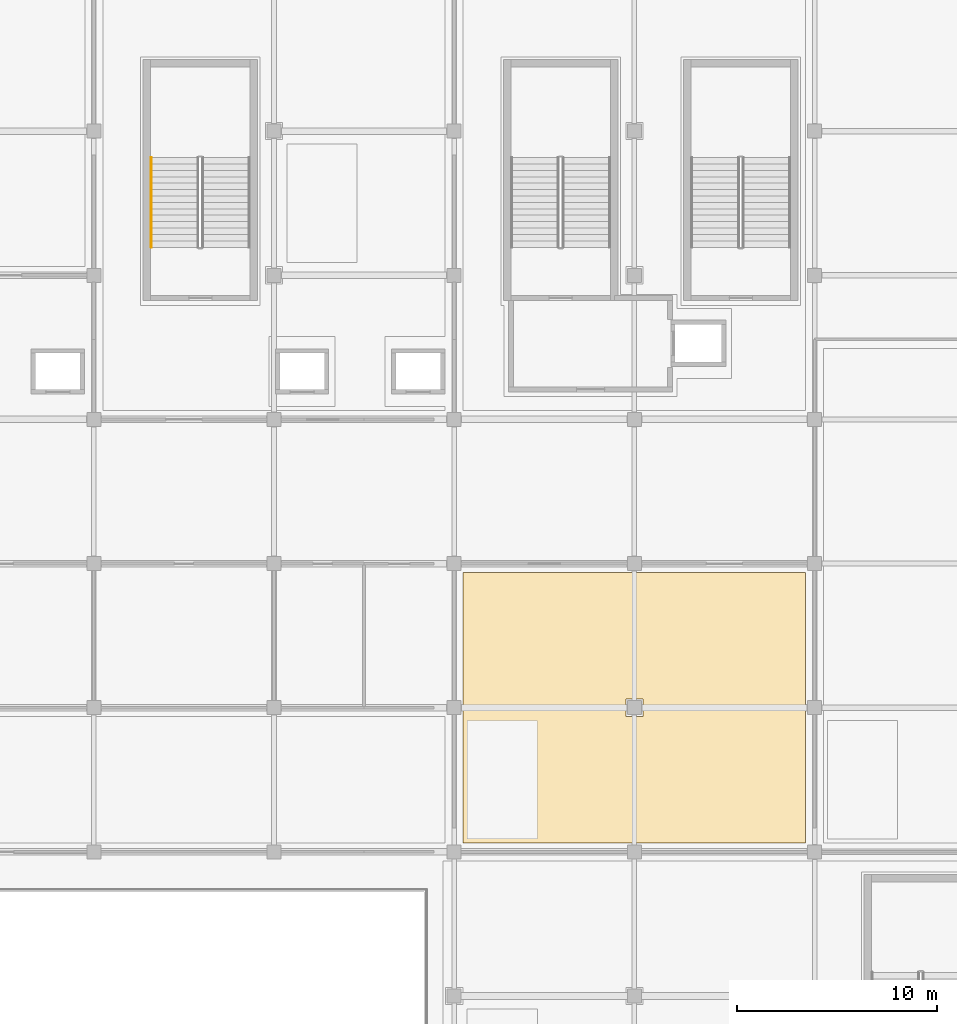
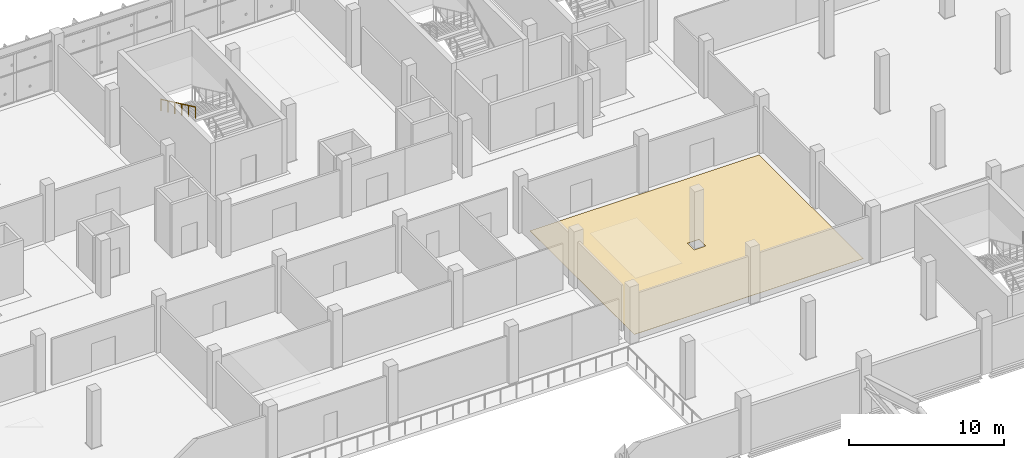
# One storey, part 140 of 151: 1 covering, 1 railing.
"""IFC4 building model written with IfcOpenShell, lengths in metres."""

from ifc_helpers import new_model, si_unit, direction, frame, origin, origin_2d, place, context, subcontext, project, spatial, polyline, circle, outline, extrude, material, layer, layer_set, type_object, element, save


model = new_model("IFC4")

# Units and contexts
model_context = context("Model", 3, precision=1e-05, world=origin(), true_north=direction((0.0, 1.0)))
body_context = subcontext(model_context, "Body", "Model", "MODEL_VIEW")
ifc_project = project(units=[si_unit("LENGTHUNIT", "METRE"), si_unit("AREAUNIT", "SQUARE_METRE"), si_unit("VOLUMEUNIT", "CUBIC_METRE"), si_unit("PLANEANGLEUNIT", "RADIAN"), si_unit("MASSUNIT", "GRAM", prefix="KILO")], contexts=[model_context])

# Site, building, storey
site_placement = place(None, origin())
site = spatial("IfcSite", under=ifc_project, at=site_placement, CompositionType="ELEMENT")
building_placement = place(site_placement, origin())
building = spatial("IfcBuilding", under=site, at=building_placement, Name="Celestram Park Convention Centre", CompositionType="ELEMENT")
storey_placement = place(building_placement, frame((0.0, 0.0, 10.800048828125)))
storey = spatial("IfcBuildingStorey", under=building, at=storey_placement, Name="L02", CompositionType="ELEMENT", Elevation=10.800048828125)

# Covering
ifc_material_1 = material(Name="Polished Lakefront Aggregate Terrazzo Flooring", Category="concrete")
ifc_layer_1 = layer(ifc_material_1, 0.02001953125)
ifc_layer_set_1 = layer_set([ifc_layer_1], Name="Polished Lakefront Aggregate Terrazzo Flooring")
covering_type = type_object("IfcCoveringType", Name="ARC-COV-FLR020", PredefinedType="FLOORING", material=ifc_layer_set_1)
covering_placement = place(storey_placement, origin())
element("IfcCovering", 1, at=covering_placement, inside=storey, type_object=covering_type, Name="Symposium Hall 202 terrazzo flooring", PredefinedType="FLOORING", context=body_context, shape_type="SweptSolid", body=[
    extrude(outline(polyline([(98.550048828125, 136.35009765625), (98.550048828125, 122.85009765625), (81.449951171875, 122.85009765625), (81.449951171875, 136.35009765625), (98.550048828125, 136.35009765625)]), holes=[polyline([(89.572021484375, 130.028076171875), (89.572021484375, 129.172119140625), (90.427978515625, 129.172119140625), (90.427978515625, 130.028076171875), (89.572021484375, 130.028076171875)])]), origin(), (0.0, 0.0, 1.0), 0.02001953125),
])

# Railing
ifc_material_2 = material(Name="Brushed Stainless Steel AISI 304", Category="steel")
ifc_layer_2 = layer(ifc_material_2, 0.048095703125)
ifc_layer_set_2 = layer_set([ifc_layer_2], Name="Brushed Stainless Steel AISI 304")
railing_type = type_object("IfcRailingType", Name="ARC-RL-HND915", PredefinedType="HANDRAIL", material=ifc_layer_set_2)
railing_placement = place(storey_placement, frame((65.8759765625, 157.080078125, 2.39990234375)))
element("IfcRailing", 2, at=railing_placement, inside=storey, type_object=railing_type, Name="L02 ST-14 stair handrail 2", PredefinedType="HANDRAIL", context=body_context, shape_type="SweptSolid", body=[
    extrude(circle(Radius=0.02392578125, at=origin_2d()), frame((0.0, 0.0, 0.8759765625), z_axis=(0.0, -0.905450639465, 0.424451574969), x_axis=(1.0, 0.0, 0.0)), (0.0, 0.0, 1.0), 4.94775390625),
    extrude(circle(Radius=0.02099609375, at=origin_2d()), origin(), (0.0, 0.0, 1.0), 0.851806640625),
    extrude(circle(Radius=0.02099609375, at=origin_2d()), frame((0.0, -0.89599609375, 0.419921875)), (0.0, 0.0, 1.0), 0.851806640625),
    extrude(circle(Radius=0.02099609375, at=origin_2d()), frame((0.0, -1.7919921875, 0.840087890625)), (0.0, 0.0, 1.0), 0.851806640625),
    extrude(circle(Radius=0.02099609375, at=origin_2d()), frame((0.0, -2.68798828125, 1.260009765625)), (0.0, 0.0, 1.0), 0.851806640625),
    extrude(circle(Radius=0.02099609375, at=origin_2d()), frame((0.0, -3.583984375, 1.68017578125)), (0.0, 0.0, 1.0), 0.851806640625),
    extrude(circle(Radius=0.02099609375, at=origin_2d()), frame((0.0, -4.47998046875, 2.10009765625)), (0.0, 0.0, 1.0), 0.851806640625),
])

save(model, "model.ifc")
